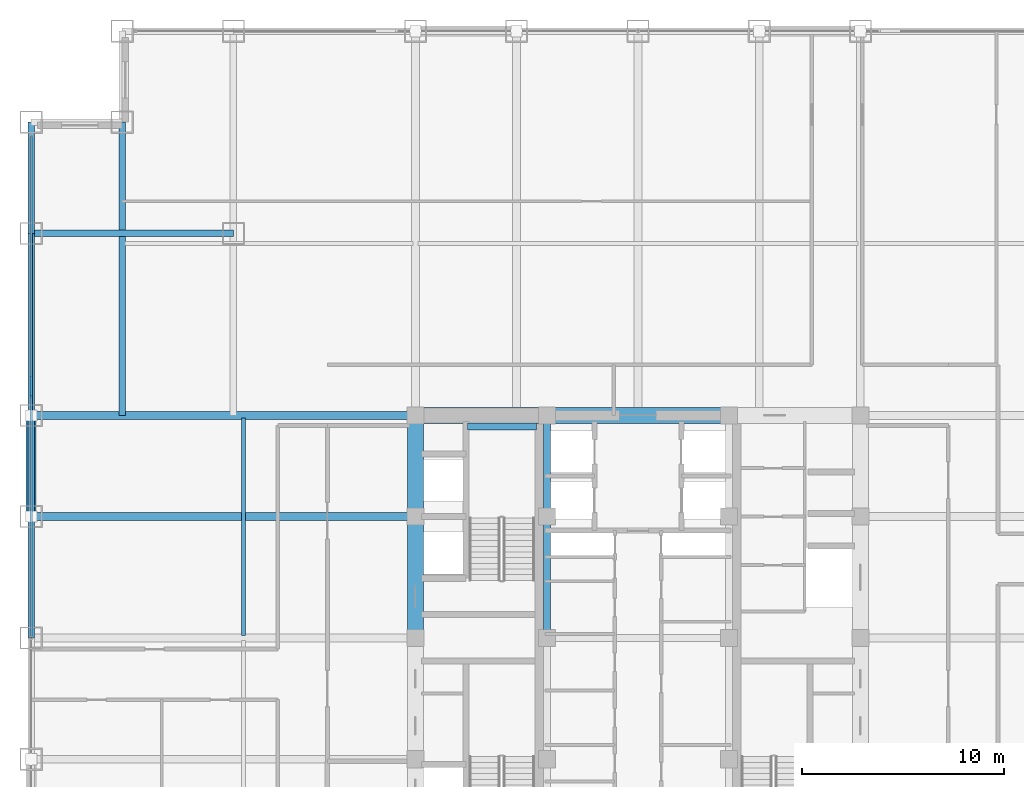
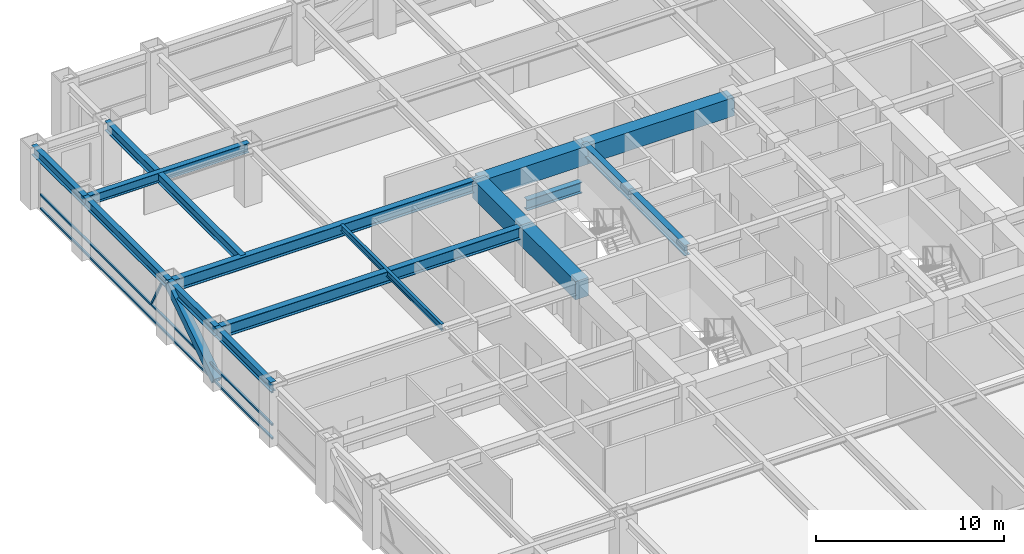
# One storey, part 11 of 25: 16 beams, 5 members, 1 element without a shape of its own.
"""IFC4 building model written with IfcOpenShell, lengths in metres."""

from ifc_helpers import new_model, si_unit, direction, frame, origin, origin_2d, place, context, subcontext, project, spatial, rectangle, hollow_rectangle, i_section, extrude, source, transform, mapped, material, material_profile, profile_set, type_object, element, aggregate, save


model = new_model("IFC4")

# Units and contexts
model_context = context("Model", 3, precision=1e-05, world=origin(), true_north=direction((0.0, 1.0)))
body_context = subcontext(model_context, "Body", "Model", "MODEL_VIEW")
ifc_project = project(units=[si_unit("LENGTHUNIT", "METRE"), si_unit("AREAUNIT", "SQUARE_METRE"), si_unit("VOLUMEUNIT", "CUBIC_METRE"), si_unit("PLANEANGLEUNIT", "RADIAN"), si_unit("MASSUNIT", "GRAM", prefix="KILO")], contexts=[model_context])

# Site, building, storey
site_placement = place(None, origin())
site = spatial("IfcSite", under=ifc_project, at=site_placement, CompositionType="ELEMENT")
building_placement = place(site_placement, origin())
building = spatial("IfcBuilding", under=site, at=building_placement, Name="Khorayat Bourse Tower", CompositionType="ELEMENT")
storey_placement = place(building_placement, frame((0.0, 0.0, 199.10009765625)))
storey = spatial("IfcBuildingStorey", under=building, at=storey_placement, Name="L46", CompositionType="ELEMENT", Elevation=199.10009765625)

# Beams
ifc_material_1 = material(Name="Concrete C72/90", Category="concrete")
ifc_material_profile_1 = material_profile(ifc_material_1, rectangle(XDim=0.800048828125, YDim=1.199951171875, at=origin_2d()), Name="RC 800x1200")
ifc_profile_set_1 = profile_set([ifc_material_profile_1], Name="Concrete C72/90")
beam_type_1 = type_object("IfcBeamType", Name="BM-COUP-1200", PredefinedType="BEAM", material=ifc_profile_set_1)
shared_shape_1 = source(origin(), body_context, "Body", "SweptSolid", [
    extrude(rectangle(XDim=0.800048828125, YDim=1.199951171875, at=origin_2d()), origin(), (0.0, 0.0, 1.0), 5.0),
])
beam_1_placement = place(storey_placement, frame((-11.0, 6.0, 3.179931640625), z_axis=(0.0, 1.0, 0.0), x_axis=(-1.0, 0.0, 0.0)))
element("IfcBeam", 1, at=beam_1_placement, inside=storey, type_object=beam_type_1, Name="L46 BM-COUP-1200 BM-L46-CRX-04", PredefinedType="BEAM", context=body_context, shape_type="MappedRepresentation", body=[
    mapped(shared_shape_1, transform((0.0, 0.0, 0.0), scale=1.0)),
])
shared_shape_2 = source(origin(), body_context, "Body", "SweptSolid", [
    extrude(rectangle(XDim=0.800048828125, YDim=1.199951171875, at=origin_2d()), origin(), (0.0, 0.0, 1.0), 6.0),
])
beam_2_placement = place(storey_placement, frame((-11.0, 0.0, 3.179931640625), z_axis=(0.0, 1.0, 0.0), x_axis=(-1.0, 0.0, 0.0)))
element("IfcBeam", 2, at=beam_2_placement, inside=storey, type_object=beam_type_1, Name="L46 BM-COUP-1200 BM-L46-CRX-03", PredefinedType="BEAM", context=body_context, shape_type="MappedRepresentation", body=[
    mapped(shared_shape_2, transform((0.0, 0.0, 0.0), scale=1.0)),
])
ifc_material_2 = material(Name="Steel ASTM A992 Grade 50", Category="steel")
ifc_material_profile_2 = material_profile(ifc_material_2, i_section(OverallWidth=0.35498046875, OverallDepth=0.695068359375, WebThickness=0.015380859375, FlangeThickness=0.02490234375, FilletRadius=0.01806640625, at=origin_2d()), Name="W690X217")
ifc_profile_set_2 = profile_set([ifc_material_profile_2], Name="Steel ASTM A992 Grade 50")
beam_type_2 = type_object("IfcBeamType", Name="BM-GIRD-690", PredefinedType="BEAM", material=ifc_profile_set_2)
shared_shape_3 = source(origin(), body_context, "Body", "SweptSolid", [
    extrude(i_section(OverallWidth=0.35498046875, OverallDepth=0.695068359375, WebThickness=0.015380859375, FlangeThickness=0.02490234375, FilletRadius=0.01806640625, at=origin_2d()), origin(), (0.0, 0.0, 1.0), 5.0),
])
beam_3_placement = place(storey_placement, frame((-4.5, 6.0, 3.432373046875), z_axis=(0.0, 1.0, 0.0), x_axis=(-1.0, 0.0, 0.0)))
element("IfcBeam", 3, at=beam_3_placement, inside=storey, type_object=beam_type_2, Name="L46 BM-GIRD-690 BM-L46-CRX-08", PredefinedType="BEAM", context=body_context, shape_type="MappedRepresentation", body=[
    mapped(shared_shape_3, transform((0.0, 0.0, 0.0), scale=1.0)),
])
shared_shape_4 = source(origin(), body_context, "Body", "SweptSolid", [
    extrude(i_section(OverallWidth=0.35498046875, OverallDepth=0.695068359375, WebThickness=0.015380859375, FlangeThickness=0.02490234375, FilletRadius=0.01806640625, at=origin_2d()), origin(), (0.0, 0.0, 1.0), 6.0),
])
beam_4_placement = place(storey_placement, frame((-4.5, 0.0, 3.432373046875), z_axis=(0.0, 1.0, 0.0), x_axis=(-1.0, 0.0, 0.0)))
element("IfcBeam", 4, at=beam_4_placement, inside=storey, type_object=beam_type_2, Name="L46 BM-GIRD-690 BM-L46-CRX-07", PredefinedType="BEAM", context=body_context, shape_type="MappedRepresentation", body=[
    mapped(shared_shape_4, transform((0.0, 0.0, 0.0), scale=1.0)),
])
shared_shape_5 = source(origin(), body_context, "Body", "SweptSolid", [
    extrude(rectangle(XDim=0.800048828125, YDim=1.199951171875, at=origin_2d()), origin(), (0.0, 0.0, 1.0), 6.5),
])
beam_5_placement = place(storey_placement, frame((-11.0, 11.0, 3.179931640625), z_axis=(1.0, 0.0, 0.0), x_axis=(0.0, 1.0, 0.0)))
element("IfcBeam", 5, at=beam_5_placement, inside=storey, type_object=beam_type_1, Name="L46 BM-COUP-1200 BM-L46-CRY-20", PredefinedType="BEAM", context=body_context, shape_type="MappedRepresentation", body=[
    mapped(shared_shape_5, transform((0.0, 0.0, 0.0), scale=1.0)),
])
shared_shape_6 = source(origin(), body_context, "Body", "SweptSolid", [
    extrude(rectangle(XDim=0.800048828125, YDim=1.199951171875, at=origin_2d()), origin(), (0.0, 0.0, 1.0), 9.0),
])
beam_6_placement = place(storey_placement, frame((-4.5, 11.0, 3.179931640625), z_axis=(1.0, 0.0, 0.0), x_axis=(0.0, 1.0, 0.0)))
element("IfcBeam", 6, at=beam_6_placement, inside=storey, type_object=beam_type_1, Name="L46 BM-COUP-1200 BM-L46-CRY-21", PredefinedType="BEAM", context=body_context, shape_type="MappedRepresentation", body=[
    mapped(shared_shape_6, transform((0.0, 0.0, 0.0), scale=1.0)),
])
shared_shape_7 = source(origin(), body_context, "Body", "SweptSolid", [
    extrude(i_section(OverallWidth=0.35498046875, OverallDepth=0.695068359375, WebThickness=0.015380859375, FlangeThickness=0.02490234375, FilletRadius=0.01806640625, at=origin_2d()), origin(), (0.0, 0.0, 1.0), 3.39990234375),
])
beam_7_placement = place(storey_placement, frame((-8.419921875, 10.449951171875, 1.452392578125), z_axis=(1.0, 0.0, 0.0), x_axis=(0.0, 1.0, 0.0)))
element("IfcBeam", 7, at=beam_7_placement, inside=storey, type_object=beam_type_2, Name="L46 BM-GIRD-690 BM-L46-ST2L", PredefinedType="BEAM", context=body_context, shape_type="MappedRepresentation", body=[
    mapped(shared_shape_7, transform((0.0, 0.0, 0.0), scale=1.0)),
])
ifc_material_profile_3 = material_profile(ifc_material_2, i_section(OverallWidth=0.381103515625, OverallDepth=0.77294921875, WebThickness=0.0166015625, FlangeThickness=0.027587890625, FilletRadius=0.01806640625, at=origin_2d()), Name="W760X257")
ifc_profile_set_3 = profile_set([ifc_material_profile_3], Name="Steel ASTM A992 Grade 50")
beam_type_3 = type_object("IfcBeamType", Name="BM-GIRD-760", PredefinedType="BEAM", material=ifc_profile_set_3)
shared_shape_8 = source(origin(), body_context, "Body", "SweptSolid", [
    extrude(i_section(OverallWidth=0.381103515625, OverallDepth=0.77294921875, WebThickness=0.0166015625, FlangeThickness=0.027587890625, FilletRadius=0.01806640625, at=origin_2d()), origin(), (0.0, 0.0, 1.0), 19.0),
])
for number, where, z_axis, x_axis, name in (
    (8, (-30.0, 6.0, 3.393310546875), (1.0, 0.0, 0.0), (0.0, 1.0, 0.0), "L46 BM-GIRD-760 BM-L46-RADX-081"),
    (9, (-30.0, 11.0, 3.393310546875), (1.0, 0.0, 0.0), (0.0, 1.0, 0.0), "L46 BM-GIRD-760 BM-L46-RADX-083"),
):
    element("IfcBeam", number, at=place(storey_placement, frame(where, z_axis=z_axis, x_axis=x_axis)), inside=storey, type_object=beam_type_3, Name=name, PredefinedType="BEAM", context=body_context, shape_type="MappedRepresentation", body=[
        mapped(shared_shape_8, transform((0.0, 0.0, 0.0), scale=1.0)),
    ])
ifc_material_profile_4 = material_profile(ifc_material_2, i_section(OverallWidth=0.324951171875, OverallDepth=0.615966796875, WebThickness=0.013916015625, FlangeThickness=0.021484375, FilletRadius=0.01611328125, at=origin_2d()), Name="W610X174")
ifc_profile_set_4 = profile_set([ifc_material_profile_4], Name="Steel ASTM A992 Grade 50")
beam_type_4 = type_object("IfcBeamType", Name="BM-GIRD-610", PredefinedType="BEAM", material=ifc_profile_set_4)
shared_shape_9 = source(origin(), body_context, "Body", "SweptSolid", [
    extrude(i_section(OverallWidth=0.324951171875, OverallDepth=0.615966796875, WebThickness=0.013916015625, FlangeThickness=0.021484375, FilletRadius=0.01611328125, at=origin_2d()), origin(), (0.0, 0.0, 1.0), 14.5),
])
beam_8_placement = place(storey_placement, frame((-25.5, 11.0, 3.471923828125), z_axis=(0.0, 1.0, 0.0), x_axis=(-1.0, 0.0, 0.0)))
element("IfcBeam", 10, at=beam_8_placement, inside=storey, type_object=beam_type_4, Name="L46 BM-GIRD-610 BM-L46-CNRY-089", PredefinedType="BEAM", context=body_context, shape_type="MappedRepresentation", body=[
    mapped(shared_shape_9, transform((0.0, 0.0, 0.0), scale=1.0)),
])
shared_shape_10 = source(origin(), body_context, "Body", "SweptSolid", [
    extrude(i_section(OverallWidth=0.324951171875, OverallDepth=0.615966796875, WebThickness=0.013916015625, FlangeThickness=0.021484375, FilletRadius=0.01611328125, at=origin_2d()), origin(), (0.0, 0.0, 1.0), 10.0),
])
beam_9_placement = place(storey_placement, frame((-30.0, 20.0, 3.471923828125), z_axis=(1.0, 0.0, 0.0), x_axis=(0.0, 1.0, 0.0)))
element("IfcBeam", 11, at=beam_9_placement, inside=storey, type_object=beam_type_4, Name="L46 BM-GIRD-610 BM-L46-CNRX-095", PredefinedType="BEAM", context=body_context, shape_type="MappedRepresentation", body=[
    mapped(shared_shape_10, transform((0.0, 0.0, 0.0), scale=1.0)),
])
ifc_material_profile_5 = material_profile(ifc_material_2, i_section(OverallWidth=0.180908203125, OverallDepth=0.4169921875, WebThickness=0.010986328125, FlangeThickness=0.018310546875, FilletRadius=0.011962890625, at=origin_2d()), Name="W410X85")
ifc_profile_set_5 = profile_set([ifc_material_profile_5], Name="Steel ASTM A992 Grade 50")
beam_type_5 = type_object("IfcBeamType", Name="BM-JOIST-410", PredefinedType="JOIST", material=ifc_profile_set_5)
shared_shape_11 = source(origin(), body_context, "Body", "SweptSolid", [
    extrude(i_section(OverallWidth=0.180908203125, OverallDepth=0.4169921875, WebThickness=0.010986328125, FlangeThickness=0.018310546875, FilletRadius=0.011962890625, at=origin_2d()), origin(), (0.0, 0.0, 1.0), 10.740234375),
])
beam_10_placement = place(storey_placement, frame((-19.5, 0.1298828125, 3.5712890625), z_axis=(0.0, 1.0, 0.0), x_axis=(-1.0, 0.0, 0.0)))
element("IfcBeam", 12, at=beam_10_placement, inside=storey, type_object=beam_type_5, Name="L46 BM-JOIST-410 BM-L46-JSTY-103", PredefinedType="JOIST", context=body_context, shape_type="MappedRepresentation", body=[
    mapped(shared_shape_11, transform((0.0, 0.0, 0.0), scale=1.0)),
])
ifc_material_profile_6 = material_profile(ifc_material_2, i_section(OverallWidth=0.324951171875, OverallDepth=0.615966796875, WebThickness=0.013916015625, FlangeThickness=0.021484375, FilletRadius=0.01611328125, at=origin_2d()), Name="W610X174")
ifc_profile_set_6 = profile_set([ifc_material_profile_6], Name="Steel ASTM A992 Grade 50")
beam_type_6 = type_object("IfcBeamType", Name="BM-SPAN-610", PredefinedType="SPANDREL", material=ifc_profile_set_6)
shared_shape_12 = source(origin(), body_context, "Body", "SweptSolid", [
    extrude(i_section(OverallWidth=0.324951171875, OverallDepth=0.615966796875, WebThickness=0.013916015625, FlangeThickness=0.021484375, FilletRadius=0.01611328125, at=origin_2d()), origin(), (0.0, 0.0, 1.0), 5.5),
])
beam_11_placement = place(storey_placement, frame((-30.0, 20.0, 3.471923828125), z_axis=(0.0, 1.0, 0.0), x_axis=(-1.0, 0.0, 0.0)))
element("IfcBeam", 13, at=beam_11_placement, inside=storey, type_object=beam_type_6, Name="L46 BM-SPAN-610 BM-L46-SPN-054", PredefinedType="SPANDREL", context=body_context, shape_type="MappedRepresentation", body=[
    mapped(shared_shape_12, transform((0.0, 0.0, 0.0), scale=1.0)),
])
shared_shape_13 = source(origin(), body_context, "Body", "SweptSolid", [
    extrude(i_section(OverallWidth=0.324951171875, OverallDepth=0.615966796875, WebThickness=0.013916015625, FlangeThickness=0.021484375, FilletRadius=0.01611328125, at=origin_2d()), origin(), (0.0, 0.0, 1.0), 9.0),
])
beam_12_placement = place(storey_placement, frame((-30.0, 11.0, 3.471923828125), z_axis=(0.0, 1.0, 0.0), x_axis=(-1.0, 0.0, 0.0)))
element("IfcBeam", 14, at=beam_12_placement, inside=storey, type_object=beam_type_6, Name="L46 BM-SPAN-610 BM-L46-SPN-055", PredefinedType="SPANDREL", context=body_context, shape_type="MappedRepresentation", body=[
    mapped(shared_shape_13, transform((0.0, 0.0, 0.0), scale=1.0)),
])
shared_shape_14 = source(origin(), body_context, "Body", "SweptSolid", [
    extrude(i_section(OverallWidth=0.324951171875, OverallDepth=0.615966796875, WebThickness=0.013916015625, FlangeThickness=0.021484375, FilletRadius=0.01611328125, at=origin_2d()), origin(), (0.0, 0.0, 1.0), 5.0),
])
beam_13_placement = place(storey_placement, frame((-30.0, 6.0, 3.471923828125), z_axis=(0.0, 1.0, 0.0), x_axis=(-1.0, 0.0, 0.0)))
element("IfcBeam", 15, at=beam_13_placement, inside=storey, type_object=beam_type_6, Name="L46 BM-SPAN-610 BM-L46-SPN-056", PredefinedType="SPANDREL", context=body_context, shape_type="MappedRepresentation", body=[
    mapped(shared_shape_14, transform((0.0, 0.0, 0.0), scale=1.0)),
])
shared_shape_15 = source(origin(), body_context, "Body", "SweptSolid", [
    extrude(i_section(OverallWidth=0.324951171875, OverallDepth=0.615966796875, WebThickness=0.013916015625, FlangeThickness=0.021484375, FilletRadius=0.01611328125, at=origin_2d()), origin(), (0.0, 0.0, 1.0), 6.0),
])
beam_14_placement = place(storey_placement, frame((-30.0, 0.0, 3.471923828125), z_axis=(0.0, 1.0, 0.0), x_axis=(-1.0, 0.0, 0.0)))
element("IfcBeam", 16, at=beam_14_placement, inside=storey, type_object=beam_type_6, Name="L46 BM-SPAN-610 BM-L46-SPN-057", PredefinedType="SPANDREL", context=body_context, shape_type="MappedRepresentation", body=[
    mapped(shared_shape_15, transform((0.0, 0.0, 0.0), scale=1.0)),
])

# Member
ifc_material_3 = material(Name="Steel EN 10025-4 S460M", Category="steel")
ifc_material_profile_7 = material_profile(ifc_material_3, hollow_rectangle(XDim=0.5, YDim=0.5, WallThickness=0.028076171875, at=origin_2d()), Name="HSS 500x500x28")
ifc_profile_set_7 = profile_set([ifc_material_profile_7], Name="Steel EN 10025-4 S460M")
member_type_1 = type_object("IfcMemberType", Name="MBR-TUBE-500", PredefinedType="BRACE", material=ifc_profile_set_7)
shared_shape_16 = source(origin(), body_context, "Body", "SweptSolid", [
    extrude(hollow_rectangle(XDim=0.5, YDim=0.5, WallThickness=0.028076171875, at=origin_2d()), origin(), (0.0, 0.0, 1.0), 5.979736328125),
])
member_1_placement = place(storey_placement, frame((-30.0, 6.0, 0.25), z_axis=(0.0, 0.836160261256, 0.548485202623), x_axis=(-1.0, 0.0, 0.0)))
element("IfcMember", 17, at=member_1_placement, inside=storey, type_object=member_type_1, Name="L46 Perimeter Tube Brace 06", PredefinedType="BRACE", context=body_context, shape_type="MappedRepresentation", body=[
    mapped(shared_shape_16, transform((0.0, 0.0, 0.0), scale=1.0)),
])

# Curtain wall, members
ifc_material_4 = material(Name="Aluminium EN AW-6063 T6", Category="aluminium")
curtain_wall_type = type_object("IfcCurtainWallType", Name="CW-SYS-03", PredefinedType="NOTDEFINED", material=ifc_material_4)
curtain_wall_placement = place(storey_placement, origin())
curtain_wall = element("IfcCurtainWall", 18, at=curtain_wall_placement, inside=storey, type_object=curtain_wall_type, Name="L46 Curtain Wall CW-L46-W1", PredefinedType="NOTDEFINED")
ifc_material_profile_8 = material_profile(ifc_material_4, hollow_rectangle(XDim=0.1201171875, YDim=0.1201171875, WallThickness=0.0048828125, at=origin_2d()), Name="ALU 120x120x5")
ifc_profile_set_8 = profile_set([ifc_material_profile_8], Name="Aluminium EN AW-6063 T6")
member_type_2 = type_object("IfcMemberType", Name="CWM-DIAG-120", PredefinedType="MULLION", material=ifc_profile_set_8)
shared_shape_17 = source(origin(), body_context, "Body", "SweptSolid", [
    extrude(hollow_rectangle(XDim=0.1201171875, YDim=0.1201171875, WallThickness=0.0048828125, at=origin_2d()), origin(), (0.0, 0.0, 1.0), 2.079345703125),
])
member_2_placement = place(storey_placement, frame((-30.0, 12.904296875, 1.08984375), z_axis=(0.0, -0.465760949701, 0.884910581773), x_axis=(1.0, 0.0, 0.0)))
member_2 = element("IfcMember", 19, at=member_2_placement, type_object=member_type_2, Name="CW-L46-W1 Faceted Diagonal Mullion 2", PredefinedType="MULLION", context=body_context, shape_type="MappedRepresentation", body=[
    mapped(shared_shape_17, transform((0.0, 0.0, 0.0), scale=1.0)),
])
ifc_material_profile_9 = material_profile(ifc_material_4, hollow_rectangle(XDim=0.1201171875, YDim=0.1201171875, WallThickness=0.0048828125, at=origin_2d()), Name="ALU 120x120x5")
ifc_profile_set_9 = profile_set([ifc_material_profile_9], Name="Aluminium EN AW-6063 T6")
member_type_3 = type_object("IfcMemberType", Name="CWT-HORZ-120", PredefinedType="USERDEFINED", material=ifc_profile_set_9)
shared_shape_18 = source(origin(), body_context, "Body", "SweptSolid", [
    extrude(hollow_rectangle(XDim=0.1201171875, YDim=0.1201171875, WallThickness=0.0048828125, at=origin_2d()), origin(), (0.0, 0.0, 1.0), 24.719970703125),
])
member_3_placement = place(storey_placement, frame((-30.0, 0.06005859375, 0.059814453125), z_axis=(0.0, 1.0, 0.0), x_axis=(-1.0, 0.0, 0.0)))
member_3 = element("IfcMember", 20, at=member_3_placement, type_object=member_type_3, Name="CW-L46-W1 Horizontal Transom 2-1", ObjectType="TRANSOM", PredefinedType="USERDEFINED", context=body_context, shape_type="MappedRepresentation", body=[
    mapped(shared_shape_18, transform((0.0, 0.0, 0.0), scale=1.0)),
])
member_4_placement = place(storey_placement, frame((-30.0, 0.06005859375, 0.949951171875), z_axis=(0.0, 1.0, 0.0), x_axis=(-1.0, 0.0, 0.0)))
member_4 = element("IfcMember", 21, at=member_4_placement, type_object=member_type_3, Name="CW-L46-W1 Horizontal Transom 2-2", ObjectType="TRANSOM", PredefinedType="USERDEFINED", context=body_context, shape_type="MappedRepresentation", body=[
    mapped(shared_shape_18, transform((0.0, 0.0, 0.0), scale=1.0)),
])
member_5_placement = place(storey_placement, frame((-30.0, 0.06005859375, 3.06982421875), z_axis=(0.0, 1.0, 0.0), x_axis=(-1.0, 0.0, 0.0)))
member_5 = element("IfcMember", 22, at=member_5_placement, type_object=member_type_3, Name="CW-L46-W1 Horizontal Transom 2-3", ObjectType="TRANSOM", PredefinedType="USERDEFINED", context=body_context, shape_type="MappedRepresentation", body=[
    mapped(shared_shape_18, transform((0.0, 0.0, 0.0), scale=1.0)),
])
aggregate(curtain_wall, [member_3, member_4, member_5, member_2])

save(model, "model.ifc")
